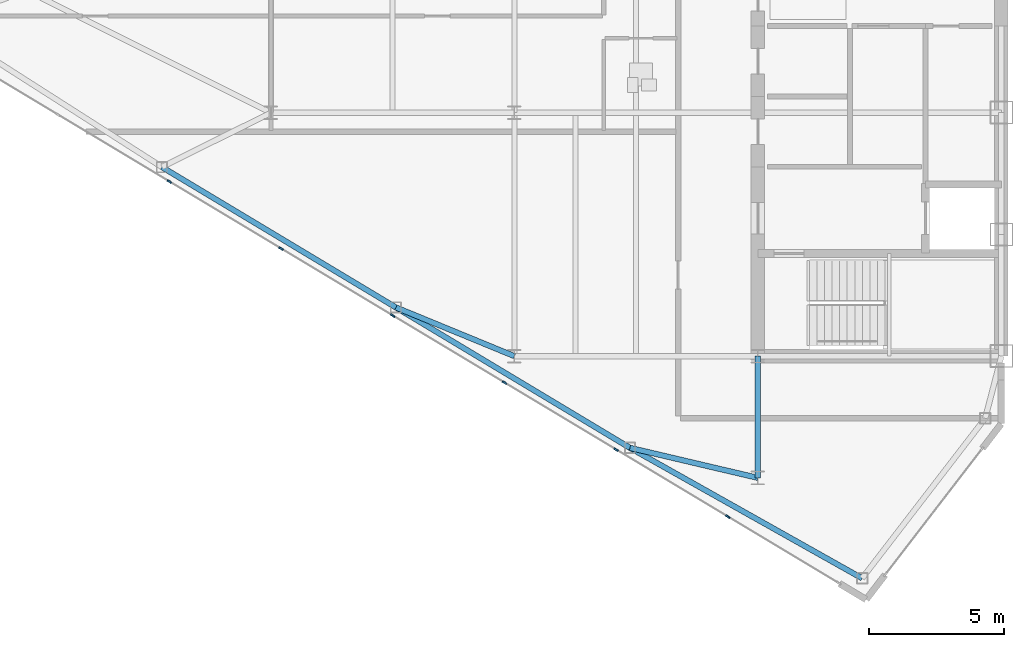
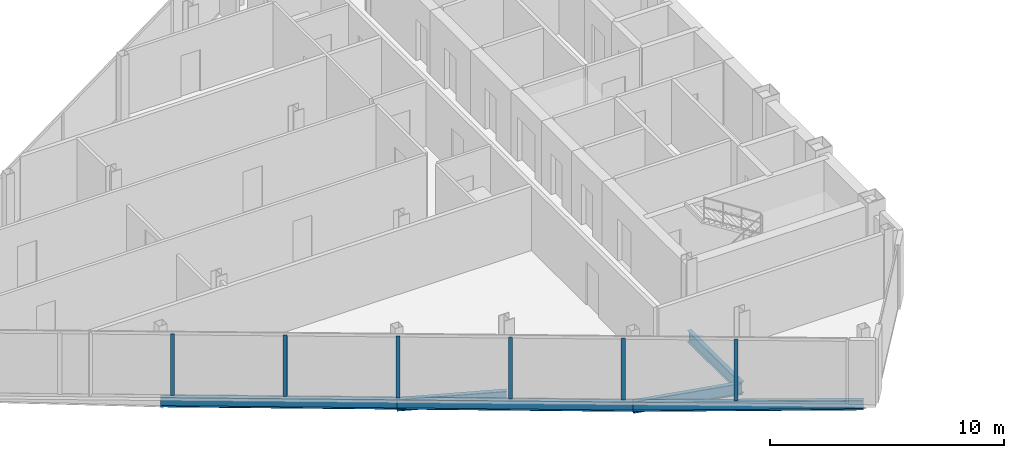
# One storey, part 5 of 26: 6 beams, 6 members, 1 element without a shape of its own.
"""IFC4 building model written with IfcOpenShell, lengths in metres."""

from ifc_helpers import new_model, si_unit, direction, frame, origin, origin_2d, place, context, subcontext, project, spatial, rectangle, i_section, extrude, source, transform, mapped, material, layer, layer_set, material_profile, profile_set, type_object, type_shapes, element, aggregate, save


model = new_model("IFC4")

# Units and contexts
model_context = context("Model", 3, precision=1e-05, world=origin(), true_north=direction((0.0, 1.0)))
body_context = subcontext(model_context, "Body", "Model", "MODEL_VIEW")
ifc_project = project(units=[si_unit("LENGTHUNIT", "METRE"), si_unit("AREAUNIT", "SQUARE_METRE"), si_unit("VOLUMEUNIT", "CUBIC_METRE"), si_unit("PLANEANGLEUNIT", "RADIAN"), si_unit("MASSUNIT", "GRAM", prefix="KILO")], contexts=[model_context])

# Site, building, storey
site_placement = place(None, origin())
site = spatial("IfcSite", under=ifc_project, at=site_placement, CompositionType="ELEMENT")
building_placement = place(site_placement, origin())
building = spatial("IfcBuilding", under=site, at=building_placement, Name="Seokmaru Belvedere", CompositionType="ELEMENT")
storey_placement = place(building_placement, frame((0.0, 0.0, 221.10009765625)))
storey = spatial("IfcBuildingStorey", under=building, at=storey_placement, Name="L59", CompositionType="ELEMENT", Elevation=221.10009765625)

# Beams
ifc_material_1 = material(Name="Steel SM355 (355 MPa)", Category="steel")
ifc_material_profile_1 = material_profile(ifc_material_1, i_section(OverallWidth=0.199951171875, OverallDepth=0.60009765625, WebThickness=0.010986328125, FlangeThickness=0.01708984375, at=origin_2d()), Name="H-600x200x11x17")
ifc_profile_set_1 = profile_set([ifc_material_profile_1], Name="Steel SM355 (355 MPa)")
beam_type_1 = type_object("IfcBeamType", Name="Primary Floor Girder H-600", PredefinedType="BEAM", material=ifc_profile_set_1)
shared_shape_1 = source(origin(), body_context, "Body", "SweptSolid", [
    extrude(i_section(OverallWidth=0.199951171875, OverallDepth=0.60009765625, WebThickness=0.010986328125, FlangeThickness=0.01708984375, at=origin_2d()), origin(), (0.0, 0.0, 1.0), 4.5),
])
beam_1_placement = place(storey_placement, frame((-36.5, -18.0, -0.52001953125), z_axis=(0.0, 1.0, 0.0), x_axis=(-1.0, 0.0, 0.0)))
element("IfcBeam", 1, at=beam_1_placement, inside=storey, type_object=beam_type_1, Name="L59 W Core Shoulder Girder S", PredefinedType="BEAM", context=body_context, shape_type="MappedRepresentation", body=[
    mapped(shared_shape_1, transform((0.0, 0.0, 0.0), scale=1.0)),
])
ifc_material_profile_2 = material_profile(ifc_material_1, i_section(OverallWidth=0.199951171875, OverallDepth=0.5, WebThickness=0.010009765625, FlangeThickness=0.01611328125, at=origin_2d()), Name="H-500x200x10x16")
ifc_profile_set_2 = profile_set([ifc_material_profile_2], Name="Steel SM355 (355 MPa)")
beam_type_2 = type_object("IfcBeamType", Name="Perimeter Spandrel Beam H-500", PredefinedType="SPANDREL", material=ifc_profile_set_2)
shared_shape_2 = source(origin(), body_context, "Body", "SweptSolid", [
    extrude(i_section(OverallWidth=0.199951171875, OverallDepth=0.5, WebThickness=0.010009765625, FlangeThickness=0.01611328125, at=origin_2d()), origin(), (0.0, 0.0, 1.0), 9.842041015625),
])
beam_2_placement = place(storey_placement, frame((-32.649658203125, -21.71044921875, -0.47021484375), z_axis=(-0.871782151818, 0.489893743349, 0.0), x_axis=(-0.489893743349, -0.871782151818, 0.0)))
element("IfcBeam", 2, at=beam_2_placement, inside=storey, type_object=beam_type_2, Name="L59 W Faceted Flank Spandrel S-1", PredefinedType="SPANDREL", context=body_context, shape_type="MappedRepresentation", body=[
    mapped(shared_shape_2, transform((0.0, 0.0, 0.0), scale=1.0)),
])
shared_shape_3 = source(origin(), body_context, "Body", "SweptSolid", [
    extrude(i_section(OverallWidth=0.199951171875, OverallDepth=0.5, WebThickness=0.010009765625, FlangeThickness=0.01611328125, at=origin_2d()), origin(), (0.0, 0.0, 1.0), 10.087646484375),
])
type_shapes(beam_type_2, [shared_shape_2, shared_shape_3])
for number, where, z_axis, x_axis, name in (
    (3, (-41.229736328125, -16.888916015625, -0.47021484375), (-0.857499332045, 0.514485078056, 0.0), (-0.514485078056, -0.857499332045, 0.0), "L59 W Faceted Flank Spandrel S-2"),
    (4, (-49.8798828125, -11.698974609375, -0.47021484375), (-0.857488654804, 0.514502873542, 0.0), (-0.514502873542, -0.857488654804, 0.0), "L59 W Faceted Flank Spandrel S-3"),
):
    element("IfcBeam", number, at=place(storey_placement, frame(where, z_axis=z_axis, x_axis=x_axis)), inside=storey, type_object=beam_type_2, Name=name, PredefinedType="SPANDREL", context=body_context, shape_type="MappedRepresentation", body=[
        mapped(shared_shape_3, transform((0.0, 0.0, 0.0), scale=1.0)),
    ])
shared_shape_4 = source(origin(), body_context, "Body", "SweptSolid", [
    extrude(i_section(OverallWidth=0.199951171875, OverallDepth=0.60009765625, WebThickness=0.010986328125, FlangeThickness=0.01708984375, at=origin_2d()), origin(), (0.0, 0.0, 1.0), 4.8583984375),
])
beam_3_placement = place(storey_placement, frame((-41.229736328125, -16.888916015625, -0.52001953125), z_axis=(0.97349948295, -0.228689214211, 0.0), x_axis=(0.228689214211, 0.97349948295, 0.0)))
element("IfcBeam", 5, at=beam_3_placement, inside=storey, type_object=beam_type_1, Name="L59 W Flank Radial Floor Girder S-1", PredefinedType="BEAM", context=body_context, shape_type="MappedRepresentation", body=[
    mapped(shared_shape_4, transform((0.0, 0.0, 0.0), scale=1.0)),
])
shared_shape_5 = source(origin(), body_context, "Body", "SweptSolid", [
    extrude(i_section(OverallWidth=0.199951171875, OverallDepth=0.60009765625, WebThickness=0.010986328125, FlangeThickness=0.01708984375, at=origin_2d()), origin(), (0.0, 0.0, 1.0), 4.73583984375),
])
type_shapes(beam_type_1, [shared_shape_1, shared_shape_4, shared_shape_5])
beam_4_placement = place(storey_placement, frame((-49.8798828125, -11.698974609375, -0.52001953125), z_axis=(0.924860562953, -0.380306375301, 0.0), x_axis=(0.380306375301, 0.924860562953, 0.0)))
element("IfcBeam", 6, at=beam_4_placement, inside=storey, type_object=beam_type_1, Name="L59 W Flank Radial Floor Girder S-2", PredefinedType="BEAM", context=body_context, shape_type="MappedRepresentation", body=[
    mapped(shared_shape_5, transform((0.0, 0.0, 0.0), scale=1.0)),
])

# Curtain wall, members
ifc_material_2 = material(Name="Bronze Triple Insulating Glass", Category="glass")
ifc_layer = layer(ifc_material_2, 0.179931640625)
ifc_layer_set = layer_set([ifc_layer], Name="Bronze Triple Insulating Glass")
curtain_wall_type = type_object("IfcCurtainWallType", Name="High-Rise Wind-Corner Curtain Wall System CW-5", PredefinedType="NOTDEFINED", material=ifc_layer_set)
curtain_wall_placement = place(storey_placement, origin())
curtain_wall = element("IfcCurtainWall", 7, at=curtain_wall_placement, inside=storey, type_object=curtain_wall_type, Name="L59 Curtain Wall WF5", PredefinedType="NOTDEFINED")
ifc_material_3 = material(Name="Anodised Bronze Aluminium", Category="aluminium")
ifc_material_profile_3 = material_profile(ifc_material_3, rectangle(XDim=0.06494140625, YDim=0.179931640625, at=origin_2d()), Name="CW-M-65x180")
ifc_profile_set_3 = profile_set([ifc_material_profile_3], Name="Anodised Bronze Aluminium")
member_type = type_object("IfcMemberType", Name="Bronze Unitised Mullion 65x180", PredefinedType="MULLION", material=ifc_profile_set_3)
shared_shape_6 = source(origin(), body_context, "Body", "SweptSolid", [
    extrude(rectangle(XDim=0.06494140625, YDim=0.179931640625, at=origin_2d()), origin(), (0.0, 0.0, 1.0), 3.2099609375),
])
type_shapes(member_type, [shared_shape_6])
member_1_placement = place(storey_placement, frame((-58.257080078125, -7.0458984375, 0.06494140625), z_axis=(0.0, 0.0, 1.0), x_axis=(0.514494909364, 0.85749343335, 0.0)))
member_1 = element("IfcMember", 8, at=member_1_placement, type_object=member_type, Name="CW:L59:WF5 Mullion 3", PredefinedType="MULLION", context=body_context, shape_type="MappedRepresentation", body=[
    mapped(shared_shape_6, transform((0.0, 0.0, 0.0), scale=1.0)),
])
member_2_placement = place(storey_placement, frame((-54.12841796875, -9.52294921875, 0.06494140625), z_axis=(0.0, 0.0, 1.0), x_axis=(0.514494909364, 0.85749343335, 0.0)))
member_2 = element("IfcMember", 9, at=member_2_placement, type_object=member_type, Name="CW:L59:WF5 Mullion 4", PredefinedType="MULLION", context=body_context, shape_type="MappedRepresentation", body=[
    mapped(shared_shape_6, transform((0.0, 0.0, 0.0), scale=1.0)),
])
member_3_placement = place(storey_placement, frame((-50.0, -12.0, 0.06494140625), z_axis=(0.0, 0.0, 1.0), x_axis=(0.514494909364, 0.85749343335, 0.0)))
member_3 = element("IfcMember", 10, at=member_3_placement, type_object=member_type, Name="CW:L59:WF5 Mullion 5", PredefinedType="MULLION", context=body_context, shape_type="MappedRepresentation", body=[
    mapped(shared_shape_6, transform((0.0, 0.0, 0.0), scale=1.0)),
])
member_4_placement = place(storey_placement, frame((-45.87158203125, -14.47705078125, 0.06494140625), z_axis=(0.0, 0.0, 1.0), x_axis=(0.514494909364, 0.85749343335, 0.0)))
member_4 = element("IfcMember", 11, at=member_4_placement, type_object=member_type, Name="CW:L59:WF5 Mullion 6", PredefinedType="MULLION", context=body_context, shape_type="MappedRepresentation", body=[
    mapped(shared_shape_6, transform((0.0, 0.0, 0.0), scale=1.0)),
])
member_5_placement = place(storey_placement, frame((-41.742919921875, -16.9541015625, 0.06494140625), z_axis=(0.0, 0.0, 1.0), x_axis=(0.514494909364, 0.85749343335, 0.0)))
member_5 = element("IfcMember", 12, at=member_5_placement, type_object=member_type, Name="CW:L59:WF5 Mullion 7", PredefinedType="MULLION", context=body_context, shape_type="MappedRepresentation", body=[
    mapped(shared_shape_6, transform((0.0, 0.0, 0.0), scale=1.0)),
])
member_6_placement = place(storey_placement, frame((-37.614501953125, -19.43115234375, 0.06494140625), z_axis=(0.0, 0.0, 1.0), x_axis=(0.514494909364, 0.85749343335, 0.0)))
member_6 = element("IfcMember", 13, at=member_6_placement, type_object=member_type, Name="CW:L59:WF5 Mullion 8", PredefinedType="MULLION", context=body_context, shape_type="MappedRepresentation", body=[
    mapped(shared_shape_6, transform((0.0, 0.0, 0.0), scale=1.0)),
])
aggregate(curtain_wall, [member_1, member_2, member_3, member_4, member_5, member_6])

save(model, "model.ifc")
